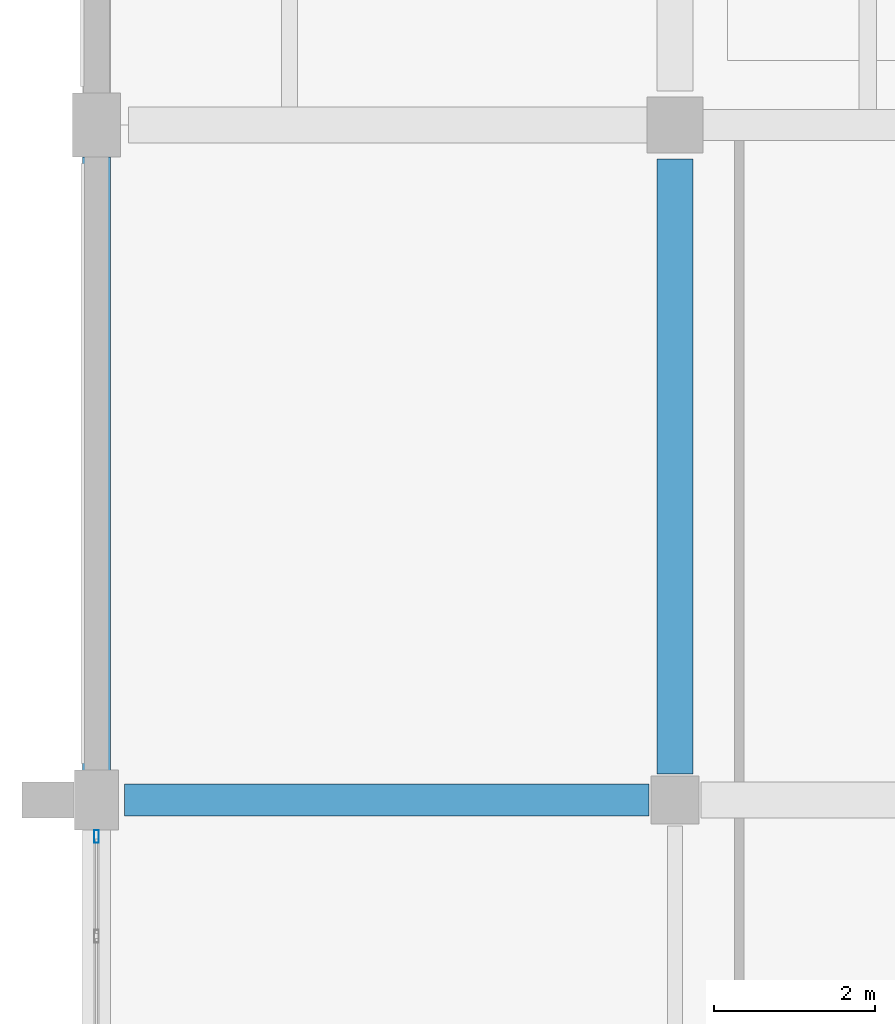
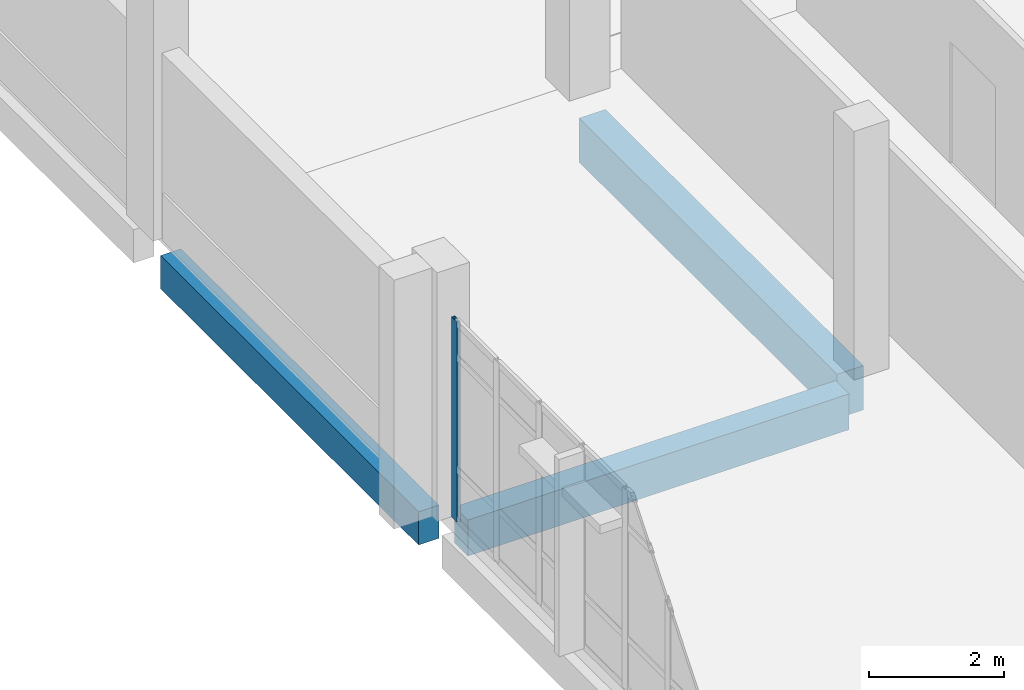
# One storey, part 33 of 87: 3 beams, 1 member, 1 element without a shape of its own.
"""IFC4 building model written with IfcOpenShell, lengths in metres."""

from ifc_helpers import new_model, si_unit, direction, frame, origin, origin_2d, place, context, subcontext, project, spatial, rectangle, hollow_rectangle, extrude, material, material_profile, profile_set, type_object, element, aggregate, save


model = new_model("IFC4")

# Units and contexts
model_context = context("Model", 3, precision=1e-05, world=origin(), true_north=direction((0.0, 1.0)))
body_context = subcontext(model_context, "Body", "Model", "MODEL_VIEW")
ifc_project = project(units=[si_unit("LENGTHUNIT", "METRE"), si_unit("AREAUNIT", "SQUARE_METRE"), si_unit("VOLUMEUNIT", "CUBIC_METRE"), si_unit("PLANEANGLEUNIT", "RADIAN"), si_unit("MASSUNIT", "GRAM", prefix="KILO")], contexts=[model_context])

# Site, building, storey
site_placement = place(None, origin())
site = spatial("IfcSite", under=ifc_project, at=site_placement, CompositionType="ELEMENT")
building_placement = place(site_placement, origin())
building = spatial("IfcBuilding", under=site, at=building_placement, Name="Kalluvel Institute of Natural Sciences", CompositionType="ELEMENT")
storey_placement = place(building_placement, frame((0.0, 0.0, 18.89990234375)))
storey = spatial("IfcBuildingStorey", under=building, at=storey_placement, Name="L04", CompositionType="ELEMENT", Elevation=18.89990234375)

# Beams
ifc_material_1 = material(Name="Concrete M40", Category="concrete")
ifc_material_profile_1 = material_profile(ifc_material_1, rectangle(XDim=0.39990234375, YDim=0.64990234375, at=origin_2d()), Name="RCB 400x650")
ifc_profile_set_1 = profile_set([ifc_material_profile_1], Name="Concrete M40")
beam_type_1 = type_object("IfcBeamType", Name="BM-RC400x650", PredefinedType="BEAM", material=ifc_profile_set_1)
beam_1_placement = place(storey_placement, frame((14.35009765625, 94.39990234375, -0.625), z_axis=(1.0, 0.0, 0.0), x_axis=(0.0, 1.0, 0.0)))
element("IfcBeam", 1, at=beam_1_placement, inside=storey, type_object=beam_type_1, Name="L04 girder GIR-L04-EW-X140-Y944", PredefinedType="BEAM", context=body_context, shape_type="SweptSolid", body=[
    extrude(rectangle(XDim=0.39990234375, YDim=0.64990234375, at=origin_2d()), origin(), (0.0, 0.0, 1.0), 6.52490234375),
])
ifc_material_profile_2 = material_profile(ifc_material_1, rectangle(XDim=0.449951171875, YDim=0.800048828125, at=origin_2d()), Name="RCB 450x800")
ifc_profile_set_2 = profile_set([ifc_material_profile_2], Name="Concrete M40")
beam_type_2 = type_object("IfcBeamType", Name="BM-RC450x800", PredefinedType="BEAM", material=ifc_profile_set_2)
beam_2_placement = place(storey_placement, frame((21.199951171875, 94.72509765625, -0.699951171875), z_axis=(0.0, 1.0, 0.0), x_axis=(-1.0, 0.0, 0.0)))
element("IfcBeam", 2, at=beam_2_placement, inside=storey, type_object=beam_type_2, Name="L04 girder GIR-L04-NS-X212-Y944", PredefinedType="BEAM", context=body_context, shape_type="SweptSolid", body=[
    extrude(rectangle(XDim=0.449951171875, YDim=0.800048828125, at=origin_2d()), origin(), (0.0, 0.0, 1.0), 7.64990234375),
])

# Curtain wall, member
ifc_material_2 = material(Name="Aluminium AW-6063 T6", Category="aluminium")
curtain_wall_type = type_object("IfcCurtainWallType", Name="CW-DRY-45", PredefinedType="USERDEFINED", material=ifc_material_2)
curtain_wall_placement = place(storey_placement, origin())
curtain_wall = element("IfcCurtainWall", 3, at=curtain_wall_placement, inside=storey, type_object=curtain_wall_type, Name="L04 Gothic lancet curtain wall CWA-L04-X140-Y864", ObjectType="UNITISED LANCET FACADE", PredefinedType="USERDEFINED")
ifc_material_profile_3 = material_profile(ifc_material_2, hollow_rectangle(XDim=0.06005859375, YDim=0.159912109375, WallThickness=0.00390625, at=origin_2d()), Name="CWM 60x160")
ifc_profile_set_3 = profile_set([ifc_material_profile_3], Name="Aluminium AW-6063 T6")
member_type = type_object("IfcMemberType", Name="CWM-60x160", PredefinedType="MULLION", material=ifc_profile_set_3)
member_placement = place(storey_placement, frame((14.0, 93.945068359375, 0.0), z_axis=(0.0, 0.0, 1.0), x_axis=(-1.0, 0.0, 0.0)))
member = element("IfcMember", 4, at=member_placement, type_object=member_type, Name="CW-03 mullion 7", PredefinedType="MULLION", context=body_context, shape_type="SweptSolid", body=[
    extrude(hollow_rectangle(XDim=0.06005859375, YDim=0.159912109375, WallThickness=0.00390625, at=origin_2d()), origin(), (0.0, 0.0, 1.0), 3.6201171875),
])
aggregate(curtain_wall, [member])

# Beam
ifc_material_profile_4 = material_profile(ifc_material_1, rectangle(XDim=0.35009765625, YDim=0.60009765625, at=origin_2d()), Name="RCB 350x600")
ifc_profile_set_4 = profile_set([ifc_material_profile_4], Name="Concrete M40")
beam_type_3 = type_object("IfcBeamType", Name="SP-RC350x600", PredefinedType="SPANDREL", material=ifc_profile_set_4)
beam_3_placement = place(storey_placement, frame((14.0, 94.75, -0.599853515625), z_axis=(0.0, 1.0, 0.0), x_axis=(-1.0, 0.0, 0.0)))
element("IfcBeam", 5, at=beam_3_placement, inside=storey, type_object=beam_type_3, Name="L04 girder GIR-L04-NS-X140-Y944", PredefinedType="SPANDREL", context=body_context, shape_type="SweptSolid", body=[
    extrude(rectangle(XDim=0.35009765625, YDim=0.60009765625, at=origin_2d()), origin(), (0.0, 0.0, 1.0), 7.64990234375),
])

save(model, "model.ifc")
